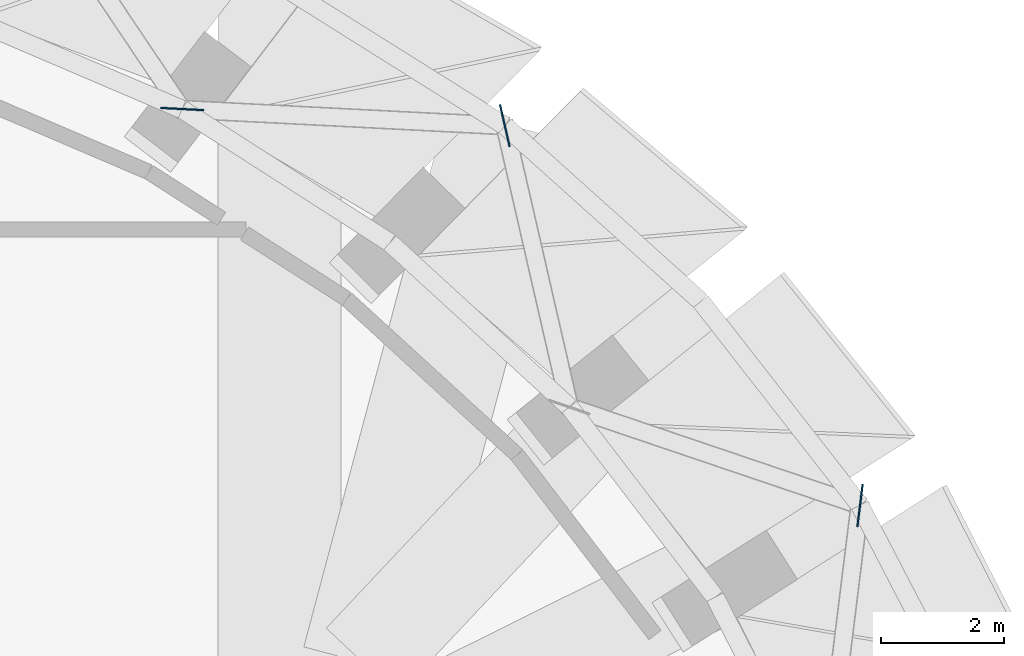
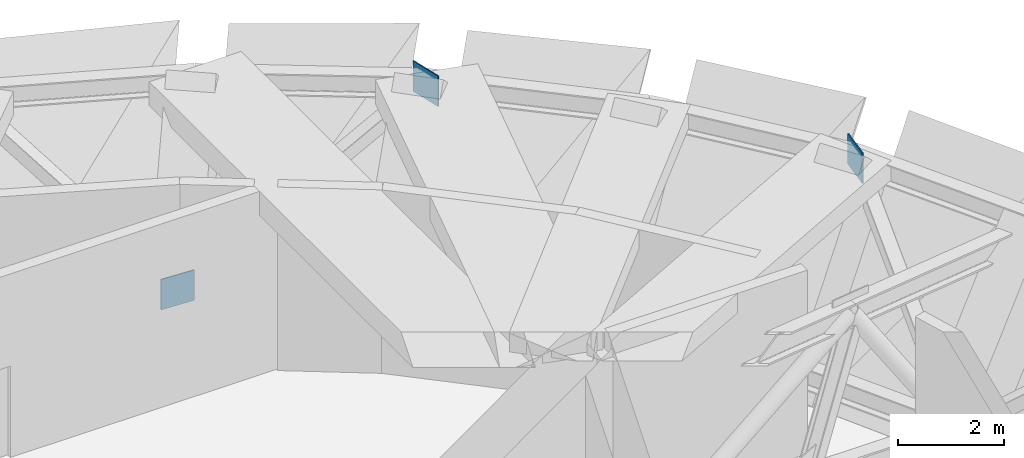
# One storey, part 14 of 16: 3 discrete accessories.
"""IFC4 building model written with IfcOpenShell, lengths in metres."""

from ifc_helpers import new_model, si_unit, direction, frame, origin, origin_2d, place, context, subcontext, project, spatial, rectangle, extrude, material, type_object, element, save


model = new_model("IFC4")

# Units and contexts
model_context = context("Model", 3, precision=1e-05, world=origin(), true_north=direction((0.0, 1.0)))
body_context = subcontext(model_context, "Body", "Model", "MODEL_VIEW")
ifc_project = project(units=[si_unit("LENGTHUNIT", "METRE"), si_unit("AREAUNIT", "SQUARE_METRE"), si_unit("VOLUMEUNIT", "CUBIC_METRE"), si_unit("PLANEANGLEUNIT", "RADIAN"), si_unit("MASSUNIT", "GRAM", prefix="KILO")], contexts=[model_context])

# Site, building, storey
site_placement = place(None, origin())
site = spatial("IfcSite", under=ifc_project, at=site_placement, CompositionType="ELEMENT")
building_placement = place(site_placement, origin())
building = spatial("IfcBuilding", under=site, at=building_placement, Name="Taillehof Tower", CompositionType="ELEMENT")
storey_placement = place(building_placement, frame((0.0, 0.0, 184.699951171875)))
storey = spatial("IfcBuildingStorey", under=building, at=storey_placement, Name="L52", CompositionType="ELEMENT", Elevation=184.699951171875)

# Discrete accessories
ifc_material = material(Name="Steel S460M", Category="steel")
discrete_accessory_type = type_object("IfcDiscreteAccessoryType", Name="Steel gusset plate", PredefinedType="BRACKET", material=ifc_material)
for number, where, z_axis, x_axis, name in (
    (1, (12.0400390625, 18.9599609375, 0.55029296875), (0.0, 0.0, 1.0), (-0.998701636071, 0.050941555809, 0.0), "Gusset plate 248"),
    (2, (17.2900390625, 18.68994140625, 3.6201171875), (0.0, 0.0, 1.0), (-0.223624380974, 0.974675400446, 0.0), "Gusset plate 255"),
    (3, (23.070068359375, 12.510009765625, 3.6201171875), (0.0, 0.0, 1.0), (0.122875758398, 0.992422061423, 0.0), "Gusset plate 267"),
):
    element("IfcDiscreteAccessory", number, at=place(storey_placement, frame(where, z_axis=z_axis, x_axis=x_axis)), inside=storey, type_object=discrete_accessory_type, Name=name, PredefinedType="BRACKET", context=body_context, shape_type="SweptSolid", body=[
        extrude(rectangle(XDim=0.699951171875, YDim=0.02490234375, at=origin_2d()), origin(), (0.0, 0.0, 1.0), 0.699951171875),
    ])

save(model, "model.ifc")
